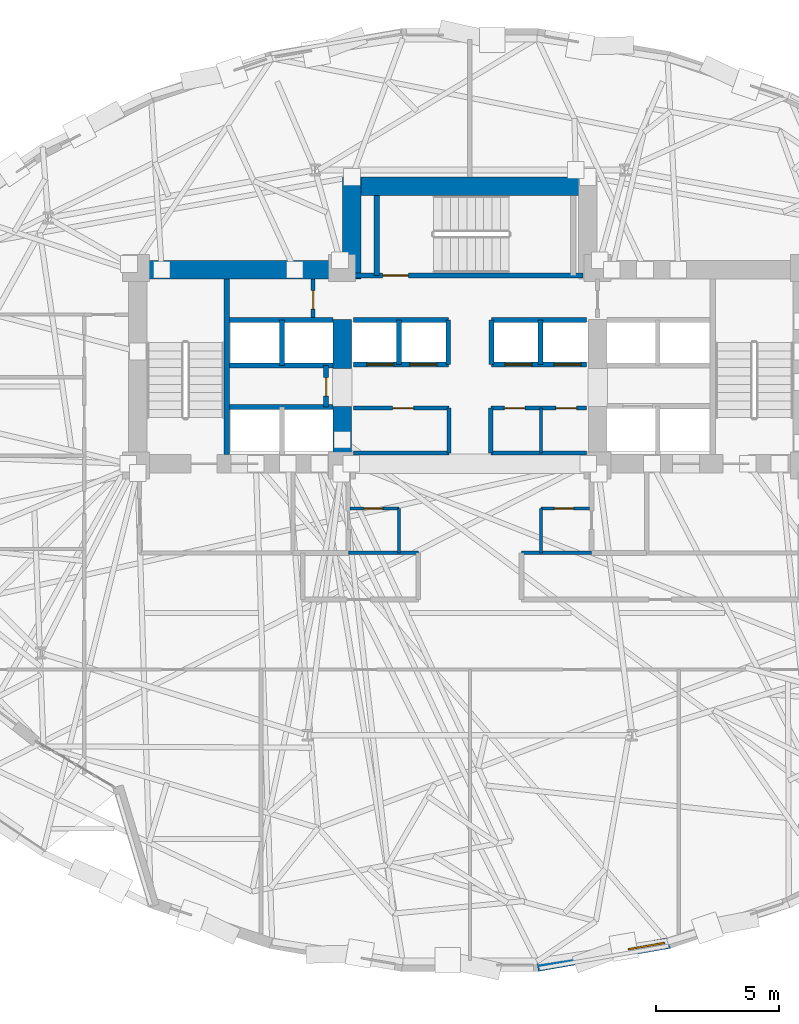
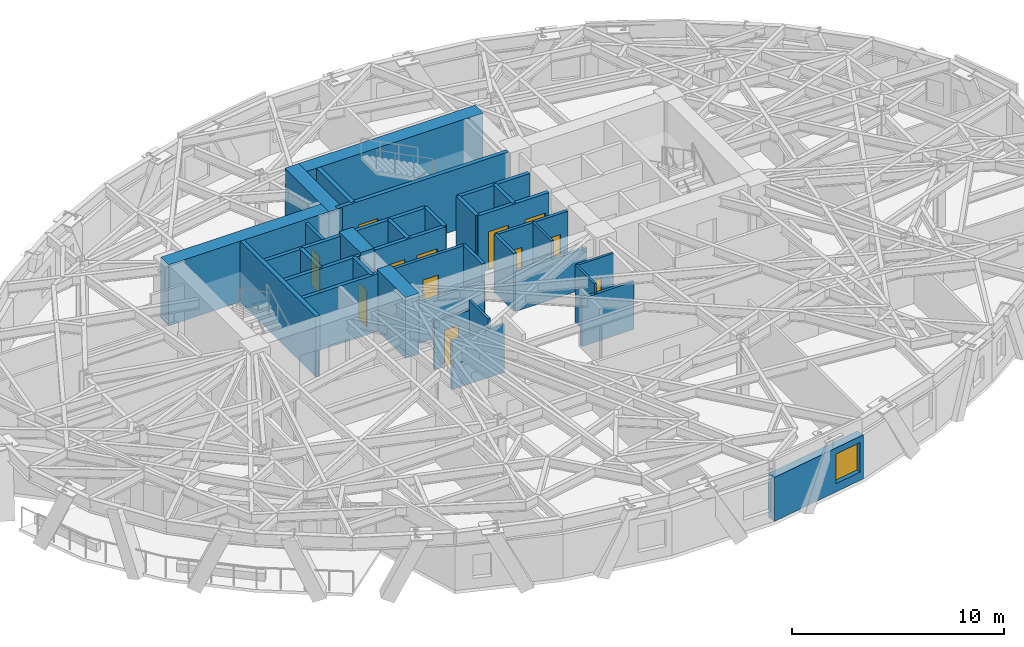
# One storey, part 10 of 17: 36 walls, 12 doors, 1 window, 13 openings.
"""IFC4 building model written with IfcOpenShell, lengths in metres."""

from ifc_helpers import new_model, si_unit, direction, frame, frame_2d, origin, place, context, subcontext, project, spatial, rectangle, extrude, material, layer, layer_set, type_object, element, fill, save


model = new_model("IFC4")

# Units and contexts
model_context = context("Model", 3, precision=1e-05, world=origin(), true_north=direction((0.0, 1.0)))
body_context = subcontext(model_context, "Body", "Model", "MODEL_VIEW")
ifc_project = project(units=[si_unit("LENGTHUNIT", "METRE"), si_unit("AREAUNIT", "SQUARE_METRE"), si_unit("VOLUMEUNIT", "CUBIC_METRE"), si_unit("PLANEANGLEUNIT", "RADIAN"), si_unit("MASSUNIT", "GRAM", prefix="KILO")], contexts=[model_context])

# Site, building, storey
site_placement = place(None, origin())
site = spatial("IfcSite", under=ifc_project, at=site_placement, CompositionType="ELEMENT")
building_placement = place(site_placement, origin())
building = spatial("IfcBuilding", under=site, at=building_placement, Name="Keldmark Tower", CompositionType="ELEMENT")
storey_placement = place(building_placement, frame((0.0, 0.0, 96.60009765625)))
storey = spatial("IfcBuildingStorey", under=building, at=storey_placement, Name="L25", CompositionType="ELEMENT", Elevation=96.60009765625)

# Wall, opening, door
ifc_material_1 = material(Name="Acoustic Gypsum Board Interior Partition", Category="gypsum")
ifc_layer_1 = layer(ifc_material_1, 0.1298828125)
ifc_layer_set_1 = layer_set([ifc_layer_1], Name="Acoustic Gypsum Board Interior Partition")
wall_type_1 = type_object("IfcWallType", Name="Interior Partition 130 mm", PredefinedType="PARTITIONING", material=ifc_layer_set_1)
wall_1_placement = place(storey_placement, frame((-4.8798828125, -0.35009765625, 0.0), z_axis=(0.0, 0.0, 1.0), x_axis=(1.0, 0.0, 0.0)))
wall_1 = element("IfcWall", 1, at=wall_1_placement, inside=storey, type_object=wall_type_1, Name="L25 Interior Partition 130 mm CSC-W-N", PredefinedType="PARTITIONING", context=body_context, shape_type="SweptSolid", body=[
    extrude(rectangle(XDim=1.989990234375, YDim=0.1298828125, at=frame_2d((0.9951171875, 0.0))), origin(), (0.0, 0.0, 1.0), 2.762939453125),
])
opening_1_placement = place(wall_1_placement, frame((0.550048828125, 0.0, 0.0)))
opening_1 = element("IfcOpeningElement", 2, at=opening_1_placement, cuts=wall_1, Name="Opening D-CL078", PredefinedType="OPENING", context=body_context, shape_type="SweptSolid", body=[
    extrude(rectangle(XDim=0.780029296875, YDim=2.10009765625, at=frame_2d((0.39013671875, 1.050048828125))), frame((0.0, 0.074951171875, 0.0), z_axis=(0.0, -1.0, 0.0), x_axis=(1.0, 0.0, 0.0)), (0.0, 0.0, 1.0), 0.14990234375),
])
ifc_material_2 = material(Name="Flush Utility Closet Timber Door", Category="wood")
door_type_1 = type_object("IfcDoorType", Name="Closet Door 780x2100", OperationType="NOTDEFINED", PredefinedType="DOOR", material=ifc_material_2)
door_1_placement = place(opening_1_placement, origin())
door_1 = element("IfcDoor", 3, at=door_1_placement, inside=storey, type_object=door_type_1, Name="L25 Closet Door 780x2100 D-CSCW1-L25", OperationType="SINGLE_SWING_LEFT", OverallHeight=2.10009765625, OverallWidth=0.780029296875, PredefinedType="DOOR", context=body_context, shape_type="SweptSolid", body=[
    extrude(rectangle(XDim=0.780029296875, YDim=2.10009765625, at=frame_2d((0.39013671875, 1.050048828125))), frame((0.0, 0.02490234375, 0.0), z_axis=(0.0, -1.0, 0.0), x_axis=(1.0, 0.0, 0.0)), (0.0, 0.0, 1.0), 0.050048828125),
])
fill(opening_1, door_1)

# Wall
wall_2_placement = place(storey_placement, frame((-2.889892578125, -2.14990234375, 0.0), z_axis=(0.0, 0.0, 1.0), x_axis=(0.0, 1.0, 0.0)))
element("IfcWall", 4, at=wall_2_placement, inside=storey, type_object=wall_type_1, Name="L25 Interior Partition 130 mm CSC-W-E", PredefinedType="PARTITIONING", context=body_context, shape_type="SweptSolid", body=[
    extrude(rectangle(XDim=1.7998046875, YDim=0.1298828125, at=frame_2d((0.89990234375, 0.0))), origin(), (0.0, 0.0, 1.0), 3.309814453125),
])

# Wall, opening, door
wall_3_placement = place(storey_placement, frame((2.889892578125, -0.35009765625, 0.0), z_axis=(0.0, 0.0, 1.0), x_axis=(1.0, 0.0, 0.0)))
wall_3 = element("IfcWall", 5, at=wall_3_placement, inside=storey, type_object=wall_type_1, Name="L25 Interior Partition 130 mm CSC-E-N", PredefinedType="PARTITIONING", context=body_context, shape_type="SweptSolid", body=[
    extrude(rectangle(XDim=1.989990234375, YDim=0.1298828125, at=frame_2d((0.9951171875, 0.0))), origin(), (0.0, 0.0, 1.0), 3.309814453125),
])
opening_2_placement = place(wall_3_placement, frame((0.550048828125, 0.0, 0.0)))
opening_2 = element("IfcOpeningElement", 6, at=opening_2_placement, cuts=wall_3, Name="Opening D-CL078", PredefinedType="OPENING", context=body_context, shape_type="SweptSolid", body=[
    extrude(rectangle(XDim=0.780029296875, YDim=2.10009765625, at=frame_2d((0.39013671875, 1.050048828125))), frame((0.0, 0.074951171875, 0.0), z_axis=(0.0, -1.0, 0.0), x_axis=(1.0, 0.0, 0.0)), (0.0, 0.0, 1.0), 0.14990234375),
])
door_2_placement = place(opening_2_placement, origin())
door_2 = element("IfcDoor", 7, at=door_2_placement, inside=storey, type_object=door_type_1, Name="L25 Closet Door 780x2100 D-CSCE1-L25", OperationType="SINGLE_SWING_RIGHT", OverallHeight=2.10009765625, OverallWidth=0.780029296875, PredefinedType="DOOR", context=body_context, shape_type="SweptSolid", body=[
    extrude(rectangle(XDim=0.780029296875, YDim=2.10009765625, at=frame_2d((0.39013671875, 1.050048828125))), frame((0.0, 0.02490234375, 0.0), z_axis=(0.0, -1.0, 0.0), x_axis=(1.0, 0.0, 0.0)), (0.0, 0.0, 1.0), 0.050048828125),
])
fill(opening_2, door_2)

# Walls
wall_4_placement = place(storey_placement, frame((2.889892578125, -2.14990234375, 0.0), z_axis=(0.0, 0.0, 1.0), x_axis=(0.0, 1.0, 0.0)))
element("IfcWall", 8, at=wall_4_placement, inside=storey, type_object=wall_type_1, Name="L25 Interior Partition 130 mm CSC-E-W", PredefinedType="PARTITIONING", context=body_context, shape_type="SweptSolid", body=[
    extrude(rectangle(XDim=1.7998046875, YDim=0.1298828125, at=frame_2d((0.89990234375, 0.0))), origin(), (0.0, 0.0, 1.0), 3.309814453125),
])
wall_5_placement = place(storey_placement, frame((2.89990234375, 1.919921875, 0.0), z_axis=(0.0, 0.0, 1.0), x_axis=(0.0, 1.0, 0.0)))
element("IfcWall", 9, at=wall_5_placement, inside=storey, type_object=wall_type_1, Name="L25 Interior Partition 130 mm REC-LE-M", PredefinedType="PARTITIONING", context=body_context, shape_type="SweptSolid", body=[
    extrude(rectangle(XDim=1.820068359375, YDim=0.1298828125, at=frame_2d((0.91015625, 0.0))), origin(), (0.0, 0.0, 1.0), 3.309814453125),
])
ifc_material_3 = material(Name="Concrete C70/85", Category="concrete")
ifc_layer_2 = layer(ifc_material_3, 0.75)
ifc_layer_set_2 = layer_set([ifc_layer_2], Name="Concrete C70/85")
wall_type_2 = type_object("IfcWallType", Name="Low-Mid Core Shear Wall 750 mm", PredefinedType="SHEAR", material=ifc_layer_set_2)
wall_6_placement = place(storey_placement, frame((-13.89990234375, 9.375, 0.0), z_axis=(0.0, 0.0, 1.0), x_axis=(1.0, 0.0, 0.0)))
element("IfcWall", 10, at=wall_6_placement, inside=storey, type_object=wall_type_2, Name="L25 West Core North Shear Wall", PredefinedType="SHEAR", context=body_context, shape_type="SweptSolid", body=[
    extrude(rectangle(XDim=9.474853515625, YDim=0.75, at=frame_2d((4.7373046875, 0.0))), origin(), (0.0, 0.0, 1.0), 3.5),
])
wall_7_placement = place(storey_placement, frame((-5.199951171875, 1.10009765625, 0.0), z_axis=(0.0, 0.0, 1.0), x_axis=(0.0, 1.0, 0.0)))
element("IfcWall", 11, at=wall_7_placement, inside=storey, type_object=wall_type_2, Name="L25 West Core Inner Shear Pier South", PredefinedType="SHEAR", context=body_context, shape_type="SweptSolid", body=[
    extrude(rectangle(XDim=2.699951171875, YDim=0.75, at=frame_2d((1.35009765625, 0.0))), origin(), (0.0, 0.0, 1.0), 3.5),
])
wall_8_placement = place(storey_placement, frame((-5.199951171875, 5.35009765625, 0.0), z_axis=(0.0, 0.0, 1.0), x_axis=(0.0, 1.0, 0.0)))
element("IfcWall", 12, at=wall_8_placement, inside=storey, type_object=wall_type_2, Name="L25 West Core Inner Shear Pier North", PredefinedType="SHEAR", context=body_context, shape_type="SweptSolid", body=[
    extrude(rectangle(XDim=2.0, YDim=0.75, at=frame_2d((1.0, 0.0))), origin(), (0.0, 0.0, 1.0), 3.5),
])
wall_9_placement = place(storey_placement, frame((-5.175048828125, 12.77490234375, 0.0), z_axis=(0.0, 0.0, 1.0), x_axis=(1.0, 0.0, 0.0)))
element("IfcWall", 13, at=wall_9_placement, inside=storey, type_object=wall_type_2, Name="L25 North Core Shear Wall", PredefinedType="SHEAR", context=body_context, shape_type="SweptSolid", body=[
    extrude(rectangle(XDim=10.35009765625, YDim=0.75, at=frame_2d((5.175048828125, 0.0))), origin(), (0.0, 0.0, 1.0), 3.5),
])
wall_10_placement = place(storey_placement, frame((-4.800048828125, 9.0, 0.0), z_axis=(0.0, 0.0, 1.0), x_axis=(0.0, 1.0, 0.0)))
element("IfcWall", 14, at=wall_10_placement, inside=storey, type_object=wall_type_2, Name="L25 North Core West Shear Wall", PredefinedType="SHEAR", context=body_context, shape_type="SweptSolid", body=[
    extrude(rectangle(XDim=4.14990234375, YDim=0.75, at=frame_2d((2.074951171875, 0.0))), origin(), (0.0, 0.0, 1.0), 3.5),
])
ifc_material_4 = material(Name="Type X Fire-Rated Gypsum Partition Assembly", Category="gypsum")
ifc_layer_3 = layer(ifc_material_4, 0.1650390625)
ifc_layer_set_3 = layer_set([ifc_layer_3], Name="Type X Fire-Rated Gypsum Partition Assembly")
wall_type_3 = type_object("IfcWallType", Name="Rated Partition 165 mm", PredefinedType="PARTITIONING", material=ifc_layer_set_3)
wall_11_placement = place(storey_placement, frame((-4.739990234375, 1.919921875, 0.0), z_axis=(0.0, 0.0, 1.0), x_axis=(1.0, 0.0, 0.0)))
element("IfcWall", 15, at=wall_11_placement, inside=storey, type_object=wall_type_3, Name="L25 Rated Partition 165 mm REC-LW-S", PredefinedType="PARTITIONING", context=body_context, shape_type="SweptSolid", body=[
    extrude(rectangle(XDim=3.889892578125, YDim=0.1650390625, at=frame_2d((1.94482421875, 0.0))), origin(), (0.0, 0.0, 1.0), 2.2998046875),
])

# Wall, opening, door
wall_12_placement = place(storey_placement, frame((-4.739990234375, 3.739990234375, 0.0), z_axis=(0.0, 0.0, 1.0), x_axis=(1.0, 0.0, 0.0)))
wall_12 = element("IfcWall", 16, at=wall_12_placement, inside=storey, type_object=wall_type_3, Name="L25 Rated Partition 165 mm REC-LW-N", PredefinedType="PARTITIONING", context=body_context, shape_type="SweptSolid", body=[
    extrude(rectangle(XDim=3.889892578125, YDim=0.1650390625, at=frame_2d((1.94482421875, 0.0))), origin(), (0.0, 0.0, 1.0), 3.309814453125),
])
opening_3_placement = place(wall_12_placement, frame((1.60009765625, 0.0, 0.0)))
opening_3 = element("IfcOpeningElement", 17, at=opening_3_placement, cuts=wall_12, Name="Opening D-SV085", PredefinedType="OPENING", context=body_context, shape_type="SweptSolid", body=[
    extrude(rectangle(XDim=0.85009765625, YDim=2.10009765625, at=frame_2d((0.425048828125, 1.050048828125))), frame((0.0, 0.092529296875, 0.0), z_axis=(0.0, -1.0, 0.0), x_axis=(1.0, 0.0, 0.0)), (0.0, 0.0, 1.0), 0.18505859375),
])
ifc_material_5 = material(Name="Painted Hollow Metal Door Assembly", Category="metal")
door_type_2 = type_object("IfcDoorType", Name="Service Door 850x2100", OperationType="NOTDEFINED", PredefinedType="DOOR", material=ifc_material_5)
door_3_placement = place(opening_3_placement, origin())
door_3 = element("IfcDoor", 18, at=door_3_placement, inside=storey, type_object=door_type_2, Name="L25 Service Door 850x2100 D-RECLW1-L25", OperationType="SINGLE_SWING_LEFT", OverallHeight=2.10009765625, OverallWidth=0.85009765625, PredefinedType="DOOR", context=body_context, shape_type="SweptSolid", body=[
    extrude(rectangle(XDim=0.85009765625, YDim=2.10009765625, at=frame_2d((0.425048828125, 1.050048828125))), frame((0.0, 0.02490234375, 0.0), z_axis=(0.0, -1.0, 0.0), x_axis=(1.0, 0.0, 0.0)), (0.0, 0.0, 1.0), 0.050048828125),
])
fill(opening_3, door_3)

# Walls
wall_13_placement = place(storey_placement, frame((-0.85009765625, 1.919921875, 0.0), z_axis=(0.0, 0.0, 1.0), x_axis=(0.0, 1.0, 0.0)))
element("IfcWall", 19, at=wall_13_placement, inside=storey, type_object=wall_type_3, Name="L25 Rated Partition 165 mm REC-LW-E", PredefinedType="PARTITIONING", context=body_context, shape_type="SweptSolid", body=[
    extrude(rectangle(XDim=1.820068359375, YDim=0.1650390625, at=frame_2d((0.91015625, 0.0))), origin(), (0.0, 0.0, 1.0), 3.309814453125),
])
wall_14_placement = place(storey_placement, frame((0.85009765625, 1.919921875, 0.0), z_axis=(0.0, 0.0, 1.0), x_axis=(1.0, 0.0, 0.0)))
element("IfcWall", 20, at=wall_14_placement, inside=storey, type_object=wall_type_3, Name="L25 Rated Partition 165 mm REC-LE-S", PredefinedType="PARTITIONING", context=body_context, shape_type="SweptSolid", body=[
    extrude(rectangle(XDim=3.889892578125, YDim=0.1650390625, at=frame_2d((1.94482421875, 0.0))), origin(), (0.0, 0.0, 1.0), 2.2998046875),
])

# Wall, openings, doors
wall_15_placement = place(storey_placement, frame((0.85009765625, 3.739990234375, 0.0), z_axis=(0.0, 0.0, 1.0), x_axis=(1.0, 0.0, 0.0)))
wall_15 = element("IfcWall", 21, at=wall_15_placement, inside=storey, type_object=wall_type_3, Name="L25 Rated Partition 165 mm REC-LE-N", PredefinedType="PARTITIONING", context=body_context, shape_type="SweptSolid", body=[
    extrude(rectangle(XDim=3.889892578125, YDim=0.1650390625, at=frame_2d((1.94482421875, 0.0))), origin(), (0.0, 0.0, 1.0), 3.309814453125),
])
opening_4_placement = place(wall_15_placement, frame((0.550048828125, 0.0, 0.0)))
opening_4 = element("IfcOpeningElement", 22, at=opening_4_placement, cuts=wall_15, Name="Opening D-SV085", PredefinedType="OPENING", context=body_context, shape_type="SweptSolid", body=[
    extrude(rectangle(XDim=0.85009765625, YDim=2.10009765625, at=frame_2d((0.425048828125, 1.050048828125))), frame((0.0, 0.092529296875, 0.0), z_axis=(0.0, -1.0, 0.0), x_axis=(1.0, 0.0, 0.0)), (0.0, 0.0, 1.0), 0.18505859375),
])
opening_5_placement = place(wall_15_placement, frame((2.64990234375, 0.0, 0.0)))
opening_5 = element("IfcOpeningElement", 23, at=opening_5_placement, cuts=wall_15, Name="Opening D-SV085", PredefinedType="OPENING", context=body_context, shape_type="SweptSolid", body=[
    extrude(rectangle(XDim=0.85009765625, YDim=2.10009765625, at=frame_2d((0.425048828125, 1.050048828125))), frame((0.0, 0.092529296875, 0.0), z_axis=(0.0, -1.0, 0.0), x_axis=(1.0, 0.0, 0.0)), (0.0, 0.0, 1.0), 0.18505859375),
])
door_4_placement = place(opening_4_placement, origin())
door_4 = element("IfcDoor", 24, at=door_4_placement, inside=storey, type_object=door_type_2, Name="L25 Service Door 850x2100 D-RECLE1-L25", OperationType="SINGLE_SWING_LEFT", OverallHeight=2.10009765625, OverallWidth=0.85009765625, PredefinedType="DOOR", context=body_context, shape_type="SweptSolid", body=[
    extrude(rectangle(XDim=0.85009765625, YDim=2.10009765625, at=frame_2d((0.425048828125, 1.050048828125))), frame((0.0, 0.02490234375, 0.0), z_axis=(0.0, -1.0, 0.0), x_axis=(1.0, 0.0, 0.0)), (0.0, 0.0, 1.0), 0.050048828125),
])
fill(opening_4, door_4)
door_5_placement = place(opening_5_placement, origin())
door_5 = element("IfcDoor", 25, at=door_5_placement, inside=storey, type_object=door_type_2, Name="L25 Service Door 850x2100 D-RECLE2-L25", OperationType="SINGLE_SWING_RIGHT", OverallHeight=2.10009765625, OverallWidth=0.85009765625, PredefinedType="DOOR", context=body_context, shape_type="SweptSolid", body=[
    extrude(rectangle(XDim=0.85009765625, YDim=2.10009765625, at=frame_2d((0.425048828125, 1.050048828125))), frame((0.0, 0.02490234375, 0.0), z_axis=(0.0, -1.0, 0.0), x_axis=(1.0, 0.0, 0.0)), (0.0, 0.0, 1.0), 0.050048828125),
])
fill(opening_5, door_5)

# Wall
wall_16_placement = place(storey_placement, frame((0.85009765625, 1.919921875, 0.0), z_axis=(0.0, 0.0, 1.0), x_axis=(0.0, 1.0, 0.0)))
element("IfcWall", 26, at=wall_16_placement, inside=storey, type_object=wall_type_3, Name="L25 Rated Partition 165 mm REC-LE-W", PredefinedType="PARTITIONING", context=body_context, shape_type="SweptSolid", body=[
    extrude(rectangle(XDim=1.820068359375, YDim=0.1650390625, at=frame_2d((0.91015625, 0.0))), origin(), (0.0, 0.0, 1.0), 3.309814453125),
])

# Wall, opening, door
wall_17_placement = place(storey_placement, frame((-6.3798828125, 7.419921875, 0.0), z_axis=(0.0, 0.0, 1.0), x_axis=(0.0, 1.0, 0.0)))
wall_17 = element("IfcWall", 27, at=wall_17_placement, inside=storey, type_object=wall_type_3, Name="L25 Rated Partition 165 mm CS-NW-E", PredefinedType="PARTITIONING", context=body_context, shape_type="SweptSolid", body=[
    extrude(rectangle(XDim=1.580078125, YDim=0.1650390625, at=frame_2d((0.7900390625, 0.0))), origin(), (0.0, 0.0, 1.0), 3.309814453125),
])
opening_6_placement = place(wall_17_placement, frame((0.35009765625, 0.0, 0.0)))
opening_6 = element("IfcOpeningElement", 28, at=opening_6_placement, cuts=wall_17, Name="Opening D-RS075", PredefinedType="OPENING", context=body_context, shape_type="SweptSolid", body=[
    extrude(rectangle(XDim=0.75, YDim=2.10009765625, at=frame_2d((0.375, 1.050048828125))), frame((0.0, 0.092529296875, 0.0), z_axis=(0.0, -1.0, 0.0), x_axis=(1.0, 0.0, 0.0)), (0.0, 0.0, 1.0), 0.18505859375),
])
ifc_material_6 = material(Name="Galvanized Fire-Rated Access Leaf", Category="metal")
door_type_3 = type_object("IfcDoorType", Name="Riser Access Door 750x2100", OperationType="NOTDEFINED", PredefinedType="DOOR", material=ifc_material_6)
door_6_placement = place(opening_6_placement, origin())
door_6 = element("IfcDoor", 29, at=door_6_placement, inside=storey, type_object=door_type_3, Name="L25 Riser Access Door 750x2100 D-CSNW1-L25", OperationType="SINGLE_SWING_RIGHT", OverallHeight=2.10009765625, OverallWidth=0.75, PredefinedType="DOOR", context=body_context, shape_type="SweptSolid", body=[
    extrude(rectangle(XDim=0.75, YDim=2.10009765625, at=frame_2d((0.375, 1.050048828125))), frame((0.0, 0.02490234375, 0.0), z_axis=(0.0, -1.0, 0.0), x_axis=(1.0, 0.0, 0.0)), (0.0, 0.0, 1.0), 0.050048828125),
])
fill(opening_6, door_6)

# Walls
ifc_material_7 = material(Name="Fire-Resistant Type X Gypsum Shaftliner Coreboard", Category="gypsum")
ifc_layer_4 = layer(ifc_material_7, 0.199951171875)
ifc_layer_set_4 = layer_set([ifc_layer_4], Name="Fire-Resistant Type X Gypsum Shaftliner Coreboard")
wall_type_4 = type_object("IfcWallType", Name="Shaft Wall 200 mm", PredefinedType="SOLIDWALL", material=ifc_layer_set_4)
for number, where, z_axis, x_axis, name in (
    (30, (-9.780029296875, 3.780029296875, 0.0), (0.0, 0.0, 1.0), (1.0, 0.0, 0.0), "L25 Shaft Wall 200 mm HW-W-S"),
    (31, (-9.780029296875, 5.469970703125, 0.0), (0.0, 0.0, 1.0), (1.0, 0.0, 0.0), "L25 Shaft Wall 200 mm HW-W-N"),
    (32, (-9.780029296875, 7.330078125, 0.0), (0.0, 0.0, 1.0), (1.0, 0.0, 0.0), "L25 Shaft Wall 200 mm HW-W-TOP"),
):
    element("IfcWall", number, at=place(storey_placement, frame(where, z_axis=z_axis, x_axis=x_axis)), inside=storey, type_object=wall_type_4, Name=name, PredefinedType="SOLIDWALL", context=body_context, shape_type="SweptSolid", body=[
        extrude(rectangle(XDim=4.205078125, YDim=0.199951171875, at=frame_2d((2.1025390625, 0.0))), origin(), (0.0, 0.0, 1.0), 3.309814453125),
    ])
wall_18_placement = place(storey_placement, frame((-7.64990234375, 5.469970703125, 0.0), z_axis=(0.0, 0.0, 1.0), x_axis=(0.0, 1.0, 0.0)))
element("IfcWall", 33, at=wall_18_placement, inside=storey, type_object=wall_type_4, Name="L25 Shaft Wall 200 mm HW-W-NM", PredefinedType="SOLIDWALL", context=body_context, shape_type="SweptSolid", body=[
    extrude(rectangle(XDim=1.860107421875, YDim=0.199951171875, at=frame_2d((0.93017578125, 0.0))), origin(), (0.0, 0.0, 1.0), 3.309814453125),
])

# Wall, opening, door
wall_19_placement = place(storey_placement, frame((-5.85009765625, 3.780029296875, 0.0), z_axis=(0.0, 0.0, 1.0), x_axis=(0.0, 1.0, 0.0)))
wall_19 = element("IfcWall", 34, at=wall_19_placement, inside=storey, type_object=wall_type_4, Name="L25 Shaft Wall 200 mm HW-W-CLOSE", PredefinedType="SOLIDWALL", context=body_context, shape_type="SweptSolid", body=[
    extrude(rectangle(XDim=1.68994140625, YDim=0.199951171875, at=frame_2d((0.844970703125, 0.0))), origin(), (0.0, 0.0, 1.0), 3.309814453125),
])
opening_7_placement = place(wall_19_placement, frame((0.449951171875, 0.0, 0.0)))
opening_7 = element("IfcOpeningElement", 35, at=opening_7_placement, cuts=wall_19, Name="Opening D-RS075", PredefinedType="OPENING", context=body_context, shape_type="SweptSolid", body=[
    extrude(rectangle(XDim=0.75, YDim=2.10009765625, at=frame_2d((0.375, 1.050048828125))), frame((0.0, 0.10986328125, 0.0), z_axis=(0.0, -1.0, 0.0), x_axis=(1.0, 0.0, 0.0)), (0.0, 0.0, 1.0), 0.219970703125),
])
door_7_placement = place(opening_7_placement, origin())
door_7 = element("IfcDoor", 36, at=door_7_placement, inside=storey, type_object=door_type_3, Name="L25 Riser Access Door 750x2100 D-RISHW-L25", OperationType="SINGLE_SWING_RIGHT", OverallHeight=2.10009765625, OverallWidth=0.75, PredefinedType="DOOR", context=body_context, shape_type="SweptSolid", body=[
    extrude(rectangle(XDim=0.75, YDim=2.10009765625, at=frame_2d((0.375, 1.050048828125))), frame((0.0, 0.02490234375, 0.0), z_axis=(0.0, -1.0, 0.0), x_axis=(1.0, 0.0, 0.0)), (0.0, 0.0, 1.0), 0.050048828125),
])
fill(opening_7, door_7)

# Wall, openings, doors
wall_20_placement = place(storey_placement, frame((-4.739990234375, 5.52001953125, 0.0), z_axis=(0.0, 0.0, 1.0), x_axis=(1.0, 0.0, 0.0)))
wall_20 = element("IfcWall", 37, at=wall_20_placement, inside=storey, type_object=wall_type_4, Name="L25 Shaft Wall 200 mm MID-S-W", PredefinedType="SOLIDWALL", context=body_context, shape_type="SweptSolid", body=[
    extrude(rectangle(XDim=3.860107421875, YDim=0.199951171875, at=frame_2d((1.93017578125, 0.0))), origin(), (0.0, 0.0, 1.0), 3.309814453125),
])
opening_8_placement = place(wall_20_placement, frame((0.550048828125, 0.0, 0.0)))
opening_8 = element("IfcOpeningElement", 38, at=opening_8_placement, cuts=wall_20, Name="Opening LD-110", PredefinedType="OPENING", context=body_context, shape_type="SweptSolid", body=[
    extrude(rectangle(XDim=1.10009765625, YDim=2.199951171875, at=frame_2d((0.550048828125, 1.10009765625))), frame((0.0, 0.10986328125, 0.0), z_axis=(0.0, -1.0, 0.0), x_axis=(1.0, 0.0, 0.0)), (0.0, 0.0, 1.0), 0.219970703125),
])
opening_9_placement = place(wall_20_placement, frame((2.300048828125, 0.0, 0.0)))
opening_9 = element("IfcOpeningElement", 39, at=opening_9_placement, cuts=wall_20, Name="Opening LD-110", PredefinedType="OPENING", context=body_context, shape_type="SweptSolid", body=[
    extrude(rectangle(XDim=1.10009765625, YDim=2.199951171875, at=frame_2d((0.550048828125, 1.10009765625))), frame((0.0, 0.10986328125, 0.0), z_axis=(0.0, -1.0, 0.0), x_axis=(1.0, 0.0, 0.0)), (0.0, 0.0, 1.0), 0.219970703125),
])
ifc_material_8 = material(Name="Brushed Bronze Hoistway Sliding Leaf", Category="metal")
door_type_4 = type_object("IfcDoorType", Name="Lift Landing Sliding Door 1100x2200", OperationType="SLIDING_TO_LEFT", PredefinedType="DOOR", material=ifc_material_8)
door_8_placement = place(opening_8_placement, origin())
door_8 = element("IfcDoor", 40, at=door_8_placement, inside=storey, type_object=door_type_4, Name="L25 Lift Landing Sliding Door 1100x2200 LD-EL-M1-L25", OperationType="SLIDING_TO_LEFT", OverallHeight=2.199951171875, OverallWidth=1.10009765625, PredefinedType="DOOR", context=body_context, shape_type="SweptSolid", body=[
    extrude(rectangle(XDim=1.10009765625, YDim=2.199951171875, at=frame_2d((0.550048828125, 1.10009765625))), frame((0.0, 0.02490234375, 0.0), z_axis=(0.0, -1.0, 0.0), x_axis=(1.0, 0.0, 0.0)), (0.0, 0.0, 1.0), 0.050048828125),
])
fill(opening_8, door_8)
door_9_placement = place(opening_9_placement, origin())
door_9 = element("IfcDoor", 41, at=door_9_placement, inside=storey, type_object=door_type_4, Name="L25 Lift Landing Sliding Door 1100x2200 LD-EL-M2-L25", OperationType="SLIDING_TO_LEFT", OverallHeight=2.199951171875, OverallWidth=1.10009765625, PredefinedType="DOOR", context=body_context, shape_type="SweptSolid", body=[
    extrude(rectangle(XDim=1.10009765625, YDim=2.199951171875, at=frame_2d((0.550048828125, 1.10009765625))), frame((0.0, 0.02490234375, 0.0), z_axis=(0.0, -1.0, 0.0), x_axis=(1.0, 0.0, 0.0)), (0.0, 0.0, 1.0), 0.050048828125),
])
fill(opening_9, door_9)

wall_21_placement = place(storey_placement, frame((0.8798828125, 5.52001953125, 0.0), z_axis=(0.0, 0.0, 1.0), x_axis=(1.0, 0.0, 0.0)))
wall_21 = element("IfcWall", 42, at=wall_21_placement, inside=storey, type_object=wall_type_4, Name="L25 Shaft Wall 200 mm MID-S-E", PredefinedType="SOLIDWALL", context=body_context, shape_type="SweptSolid", body=[
    extrude(rectangle(XDim=3.860107421875, YDim=0.199951171875, at=frame_2d((1.93017578125, 0.0))), origin(), (0.0, 0.0, 1.0), 3.309814453125),
])
opening_10_placement = place(wall_21_placement, frame((0.550048828125, 0.0, 0.0)))
opening_10 = element("IfcOpeningElement", 43, at=opening_10_placement, cuts=wall_21, Name="Opening LD-110", PredefinedType="OPENING", context=body_context, shape_type="SweptSolid", body=[
    extrude(rectangle(XDim=1.10009765625, YDim=2.199951171875, at=frame_2d((0.550048828125, 1.10009765625))), frame((0.0, 0.10986328125, 0.0), z_axis=(0.0, -1.0, 0.0), x_axis=(1.0, 0.0, 0.0)), (0.0, 0.0, 1.0), 0.219970703125),
])
opening_11_placement = place(wall_21_placement, frame((2.550048828125, 0.0, 0.0)))
opening_11 = element("IfcOpeningElement", 44, at=opening_11_placement, cuts=wall_21, Name="Opening LD-110", PredefinedType="OPENING", context=body_context, shape_type="SweptSolid", body=[
    extrude(rectangle(XDim=1.10009765625, YDim=2.199951171875, at=frame_2d((0.550048828125, 1.10009765625))), frame((0.0, 0.10986328125, 0.0), z_axis=(0.0, -1.0, 0.0), x_axis=(1.0, 0.0, 0.0)), (0.0, 0.0, 1.0), 0.219970703125),
])
door_10_placement = place(opening_10_placement, origin())
door_10 = element("IfcDoor", 45, at=door_10_placement, inside=storey, type_object=door_type_4, Name="L25 Lift Landing Sliding Door 1100x2200 LD-EL-M3-L25", OperationType="SLIDING_TO_LEFT", OverallHeight=2.199951171875, OverallWidth=1.10009765625, PredefinedType="DOOR", context=body_context, shape_type="SweptSolid", body=[
    extrude(rectangle(XDim=1.10009765625, YDim=2.199951171875, at=frame_2d((0.550048828125, 1.10009765625))), frame((0.0, 0.02490234375, 0.0), z_axis=(0.0, -1.0, 0.0), x_axis=(1.0, 0.0, 0.0)), (0.0, 0.0, 1.0), 0.050048828125),
])
fill(opening_10, door_10)
door_11_placement = place(opening_11_placement, origin())
door_11 = element("IfcDoor", 46, at=door_11_placement, inside=storey, type_object=door_type_4, Name="L25 Lift Landing Sliding Door 1100x2200 LD-EL-M4-L25", OperationType="SLIDING_TO_LEFT", OverallHeight=2.199951171875, OverallWidth=1.10009765625, PredefinedType="DOOR", context=body_context, shape_type="SweptSolid", body=[
    extrude(rectangle(XDim=1.10009765625, YDim=2.199951171875, at=frame_2d((0.550048828125, 1.10009765625))), frame((0.0, 0.02490234375, 0.0), z_axis=(0.0, -1.0, 0.0), x_axis=(1.0, 0.0, 0.0)), (0.0, 0.0, 1.0), 0.050048828125),
])
fill(opening_11, door_11)

# Walls
for number, where, z_axis, x_axis, name in (
    (47, (-4.739990234375, 7.330078125, 0.0), (0.0, 0.0, 1.0), (1.0, 0.0, 0.0), "L25 Shaft Wall 200 mm MID-N-W"),
    (48, (0.8798828125, 7.330078125, 0.0), (0.0, 0.0, 1.0), (1.0, 0.0, 0.0), "L25 Shaft Wall 200 mm MID-N-E"),
):
    element("IfcWall", number, at=place(storey_placement, frame(where, z_axis=z_axis, x_axis=x_axis)), inside=storey, type_object=wall_type_4, Name=name, PredefinedType="SOLIDWALL", context=body_context, shape_type="SweptSolid", body=[
        extrude(rectangle(XDim=3.860107421875, YDim=0.199951171875, at=frame_2d((1.93017578125, 0.0))), origin(), (0.0, 0.0, 1.0), 3.309814453125),
    ])
for number, where, z_axis, x_axis, name in (
    (49, (-2.8798828125, 5.52001953125, 0.0), (0.0, 0.0, 1.0), (0.0, 1.0, 0.0), "L25 Shaft Wall 200 mm MID-M-W"),
    (50, (2.8798828125, 5.52001953125, 0.0), (0.0, 0.0, 1.0), (0.0, 1.0, 0.0), "L25 Shaft Wall 200 mm MID-M-E"),
    (51, (-0.8798828125, 5.52001953125, 0.0), (0.0, 0.0, 1.0), (0.0, 1.0, 0.0), "L25 Shaft Wall 200 mm MID-C-W"),
    (52, (0.8798828125, 5.52001953125, 0.0), (0.0, 0.0, 1.0), (0.0, 1.0, 0.0), "L25 Shaft Wall 200 mm MID-C-E"),
):
    element("IfcWall", number, at=place(storey_placement, frame(where, z_axis=z_axis, x_axis=x_axis)), inside=storey, type_object=wall_type_4, Name=name, PredefinedType="SOLIDWALL", context=body_context, shape_type="SweptSolid", body=[
        extrude(rectangle(XDim=1.81005859375, YDim=0.199951171875, at=frame_2d((0.905029296875, 0.0))), origin(), (0.0, 0.0, 1.0), 3.309814453125),
    ])
ifc_material_9 = material(Name="Concrete C50/60", Category="concrete")
ifc_layer_5 = layer(ifc_material_9, 0.219970703125)
ifc_layer_set_5 = layer_set([ifc_layer_5], Name="Concrete C50/60")
wall_type_5 = type_object("IfcWallType", Name="Stair Core Shear Wall 220 mm", PredefinedType="SHEAR", material=ifc_layer_set_5)
wall_22_placement = place(storey_placement, frame((-9.889892578125, 1.85009765625, 0.0), z_axis=(0.0, 0.0, 1.0), x_axis=(0.0, 1.0, 0.0)))
element("IfcWall", 53, at=wall_22_placement, inside=storey, type_object=wall_type_5, Name="L25 West Stair Core Shear Wall", PredefinedType="SHEAR", context=body_context, shape_type="SweptSolid", body=[
    extrude(rectangle(XDim=7.14990234375, YDim=0.219970703125, at=frame_2d((3.574951171875, 0.0))), origin(), (0.0, 0.0, 1.0), 3.5),
])

# Wall, opening, door
wall_23_placement = place(storey_placement, frame((-4.699951171875, 9.139892578125, 0.0), z_axis=(0.0, 0.0, 1.0), x_axis=(1.0, 0.0, 0.0)))
wall_23 = element("IfcWall", 54, at=wall_23_placement, inside=storey, type_object=wall_type_5, Name="L25 Central Stair Core South Shear Wall", PredefinedType="SHEAR", context=body_context, shape_type="SweptSolid", body=[
    extrude(rectangle(XDim=9.300048828125, YDim=0.219970703125, at=frame_2d((4.64990234375, 0.0))), origin(), (0.0, 0.0, 1.0), 3.5),
])
opening_12_placement = place(wall_23_placement, frame((1.14990234375, 0.0, 0.0)))
opening_12 = element("IfcOpeningElement", 55, at=opening_12_placement, cuts=wall_23, Name="Opening D-ST105", PredefinedType="OPENING", context=body_context, shape_type="SweptSolid", body=[
    extrude(rectangle(XDim=1.050048828125, YDim=2.14990234375, at=frame_2d((0.52490234375, 1.074951171875))), frame((0.0, 0.119873046875, 0.0), z_axis=(0.0, -1.0, 0.0), x_axis=(1.0, 0.0, 0.0)), (0.0, 0.0, 1.0), 0.239990234375),
])
ifc_material_10 = material(Name="Hollow Metal Fire-Rated Door Assembly", Category="metal")
door_type_5 = type_object("IfcDoorType", Name="Stair Fire Door 1050x2150", OperationType="NOTDEFINED", PredefinedType="DOOR", material=ifc_material_10)
door_12_placement = place(opening_12_placement, origin())
door_12 = element("IfcDoor", 56, at=door_12_placement, inside=storey, type_object=door_type_5, Name="L25 Stair Fire Door 1050x2150 D-ST3-L25", OperationType="SINGLE_SWING_RIGHT", OverallHeight=2.14990234375, OverallWidth=1.050048828125, PredefinedType="DOOR", context=body_context, shape_type="SweptSolid", body=[
    extrude(rectangle(XDim=1.050048828125, YDim=2.14990234375, at=frame_2d((0.52490234375, 1.074951171875))), frame((0.0, 0.02490234375, 0.0), z_axis=(0.0, -1.0, 0.0), x_axis=(1.0, 0.0, 0.0)), (0.0, 0.0, 1.0), 0.050048828125),
])
fill(opening_12, door_12)

# Wall
wall_24_placement = place(storey_placement, frame((-3.784912109375, 9.139892578125, 0.0), z_axis=(0.0, 0.0, 1.0), x_axis=(0.0, 1.0, 0.0)))
element("IfcWall", 57, at=wall_24_placement, inside=storey, type_object=wall_type_5, Name="L25 Central Stair Core West Shear Wall", PredefinedType="SHEAR", context=body_context, shape_type="SweptSolid", body=[
    extrude(rectangle(XDim=3.260009765625, YDim=0.219970703125, at=frame_2d((1.6298828125, 0.0))), origin(), (0.0, 0.0, 1.0), 3.5),
])

# Wall, opening, window
ifc_material_11 = material(Name="Ironspot Manganese Brick and Kasota Buff Limestone Spandrel Assembly", Category="masonry")
ifc_layer_6 = layer(ifc_material_11, 0.43994140625)
ifc_layer_set_6 = layer_set([ifc_layer_6], Name="Ironspot Manganese Brick and Kasota Buff Limestone Spandrel Assembly")
wall_type_6 = type_object("IfcWallType", Name="Tower Brick Pier and Spandrel Wall 440 mm", PredefinedType="STANDARD", material=ifc_layer_set_6)
wall_25_placement = place(storey_placement, frame((8.1298828125, -18.035400390625, 0.0), z_axis=(0.0, 0.0, 1.0), x_axis=(-0.985074276728, -0.172129803722, 0.0)))
wall_25 = element("IfcWall", 58, at=wall_25_placement, inside=storey, type_object=wall_type_6, Name="L25 Exterior Brick and Spandrel Wall 25", PredefinedType="STANDARD", context=body_context, shape_type="SweptSolid", body=[
    extrude(rectangle(XDim=5.460693359375, YDim=0.43994140625, at=frame_2d((2.73046875, 0.0))), origin(), (0.0, 0.0, 1.0), 2.52783203125),
])
opening_13_placement = place(wall_25_placement, frame((0.199951171875, 0.0, 0.47998046875)))
opening_13 = element("IfcOpeningElement", 59, at=opening_13_placement, cuts=wall_25, Name="Opening W-03", PredefinedType="OPENING", context=body_context, shape_type="SweptSolid", body=[
    extrude(rectangle(XDim=1.5, YDim=1.699951171875, at=frame_2d((0.75, 0.85009765625))), frame((0.0, 0.22998046875, 0.0), z_axis=(0.0, -1.0, 0.0), x_axis=(1.0, 0.0, 0.0)), (0.0, 0.0, 1.0), 0.4599609375),
])
ifc_material_12 = material(Name="Thermally Broken Anodized Aluminum and Triple Low-E Argon Glazing", Category="aluminium")
window_type = type_object("IfcWindowType", Name="Office Corner Deep-Set Window 1500x1700", PartitioningType="DOUBLE_PANEL_VERTICAL", PredefinedType="WINDOW", material=ifc_material_12)
window_placement = place(opening_13_placement, origin())
window = element("IfcWindow", 60, at=window_placement, inside=storey, type_object=window_type, Name="L25 Deep-Set Window 25", OverallHeight=1.699951171875, OverallWidth=1.5, PartitioningType="SINGLE_PANEL", PredefinedType="WINDOW", context=body_context, shape_type="SweptSolid", body=[
    extrude(rectangle(XDim=1.5, YDim=1.699951171875, at=frame_2d((0.75, 0.85009765625))), frame((0.0, -0.010009765625, 0.0), z_axis=(0.0, -1.0, 0.0), x_axis=(1.0, 0.0, 0.0)), (0.0, 0.0, 1.0), 0.06005859375),
])
fill(opening_13, window)

# Walls
ifc_material_13 = material(Name="Moisture-Resistant Gypsum Plumbing Partition", Category="gypsum")
ifc_layer_7 = layer(ifc_material_13, 0.14990234375)
ifc_layer_set_7 = layer_set([ifc_layer_7], Name="Moisture-Resistant Gypsum Plumbing Partition")
wall_type_7 = type_object("IfcWallType", Name="Wet Wall 150 mm", PredefinedType="PLUMBINGWALL", material=ifc_layer_set_7)
for number, where, z_axis, x_axis, name in (
    (61, (-4.949951171875, -2.14990234375, 0.0), (0.0, 0.0, 1.0), (1.0, 0.0, 0.0), "L25 Wet Wall 150 mm SPK-W-N"),
    (62, (2.10009765625, -2.14990234375, 0.0), (0.0, 0.0, 1.0), (1.0, 0.0, 0.0), "L25 Wet Wall 150 mm SPK-E-N"),
):
    element("IfcWall", number, at=place(storey_placement, frame(where, z_axis=z_axis, x_axis=x_axis)), inside=storey, type_object=wall_type_7, Name=name, PredefinedType="PLUMBINGWALL", context=body_context, shape_type="SweptSolid", body=[
        extrude(rectangle(XDim=2.849853515625, YDim=0.14990234375, at=frame_2d((1.4248046875, 0.0))), origin(), (0.0, 0.0, 1.0), 2.762939453125),
    ])

save(model, "model.ifc")
